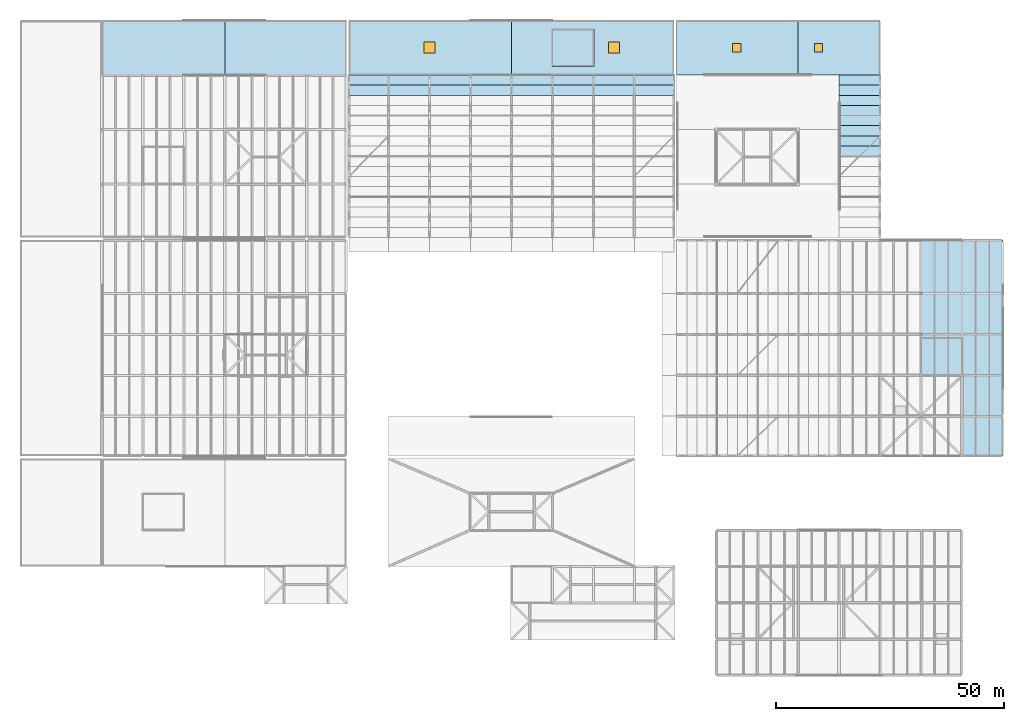
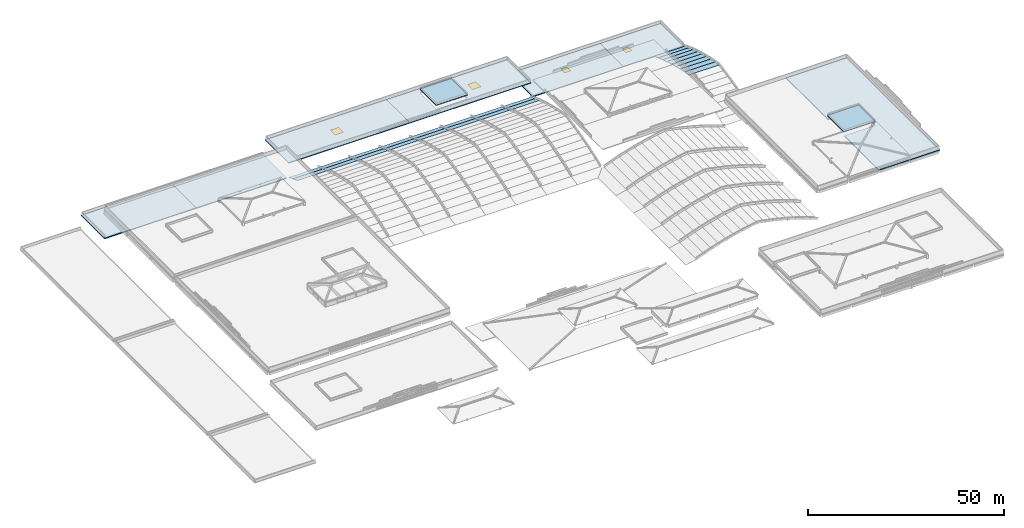
"""IFC4 building model written with IfcOpenShell, lengths in metres."""

from ifc_helpers import new_model, si_unit, direction, frame, origin, origin_2d, place, context, subcontext, project, spatial, polyline, rectangle, outline, extrude, material, layer, layer_set, type_object, element, fill, aggregate, save


model = new_model("IFC4")

# Units and contexts
model_context = context("Model", 3, precision=1e-05, world=origin(), true_north=direction((0.0, 1.0)))
body_context = subcontext(model_context, "Body", "Model", "MODEL_VIEW")
ifc_project = project(units=[si_unit("LENGTHUNIT", "METRE"), si_unit("AREAUNIT", "SQUARE_METRE"), si_unit("VOLUMEUNIT", "CUBIC_METRE"), si_unit("PLANEANGLEUNIT", "RADIAN"), si_unit("MASSUNIT", "GRAM", prefix="KILO")], contexts=[model_context])

# Site, building, storey
site_placement = place(None, origin())
site = spatial("IfcSite", under=ifc_project, at=site_placement, CompositionType="ELEMENT")
building_placement = place(site_placement, origin())
building = spatial("IfcBuilding", under=site, at=building_placement, Name="Zacnel Wholesale Market", CompositionType="ELEMENT")
storey_1_placement = place(building_placement, frame((0.0, 0.0, 20.300048828125)))
storey_1 = spatial("IfcBuildingStorey", under=building, at=storey_1_placement, Name="RF", CompositionType="ELEMENT", Elevation=20.300048828125)

# Slabs
ifc_material_1 = material(Name="Precast concrete C45/55", Category="concrete")
ifc_layer_1 = layer(ifc_material_1, 0.239990234375)
ifc_layer_set_1 = layer_set([ifc_layer_1], Name="Precast concrete C45/55")
slab_type_1 = type_object("IfcSlabType", Name="SLB-CORE-RF240", PredefinedType="ROOF", material=ifc_layer_set_1)
slab_1_placement = place(storey_1_placement, frame((0.0, 0.0, -3.5400390625)))
element("IfcSlab", 1, at=slab_1_placement, inside=storey_1, type_object=slab_type_1, Name="Core C6 roof cap slab", PredefinedType="ROOF", context=body_context, shape_type="SweptSolid", body=[
    extrude(outline(polyline([(116.875, 133.875), (126.125, 133.875), (126.125, 142.125), (116.875, 142.125), (116.875, 133.875)])), origin(), (0.0, 0.0, 1.0), 0.239990234375),
])
slab_2_placement = place(storey_1_placement, frame((0.0, 0.0, 1.010009765625)))
element("IfcSlab", 2, at=slab_2_placement, inside=storey_1, type_object=slab_type_1, Name="Core C7 roof cap slab", PredefinedType="ROOF", context=body_context, shape_type="SweptSolid", body=[
    extrude(outline(polyline([(197.875, 65.875), (207.125, 65.875), (207.125, 74.324951171875), (197.875, 74.324951171875), (197.875, 65.875)])), origin(), (0.0, 0.0, 1.0), 0.239990234375),
])

# Roof, slab, opening
ifc_material_2 = material(Name="Precast concrete C45/55", Category="concrete")
ifc_layer_2 = layer(ifc_material_2, 0.280029296875)
ifc_layer_set_2 = layer_set([ifc_layer_2], Name="Precast concrete C45/55")
roof_type_1 = type_object("IfcRoofType", Name="ROOF-FLAT-PRECAST", PredefinedType="FLAT_ROOF", material=ifc_layer_set_2)
roof_1_placement = place(storey_1_placement, origin())
roof_1 = element("IfcRoof", 3, at=roof_1_placement, inside=storey_1, type_object=roof_type_1, Name="Precast roof assembly STR-ROOF-V1N-GAL-W", PredefinedType="FLAT_ROOF")
ifc_material_3 = material(Name="Precast concrete C45/55", Category="concrete")
ifc_layer_3 = layer(ifc_material_3, 0.280029296875)
ifc_layer_set_3 = layer_set([ifc_layer_3], Name="Precast concrete C45/55")
slab_type_2 = type_object("IfcSlabType", Name="SLB-ROOF-DT-280", PredefinedType="ROOF", material=ifc_layer_set_3)
slab_3_placement = place(storey_1_placement, frame((0.0, 0.0, -4.830078125)))
slab_3 = element("IfcSlab", 4, at=slab_3_placement, type_object=slab_type_2, Name="Precast roof slab STR-ROOF-V1N-GAL-W/SLB1", PredefinedType="ROOF", context=body_context, shape_type="SweptSolid", body=[
    extrude(outline(polyline([(72.300048828125, 144.0), (108.0, 144.0), (108.0, 132.0), (72.300048828125, 132.0), (72.300048828125, 144.0)])), origin(), (0.0, 0.0, 1.0), 0.280029296875),
])
opening_1_placement = place(slab_3_placement, frame((90.0, 138.0, 0.0)))
opening_1 = element("IfcOpeningElement", 5, at=opening_1_placement, cuts=slab_3, Name="Opening SK-01", PredefinedType="OPENING", context=body_context, shape_type="SweptSolid", body=[
    extrude(rectangle(XDim=2.39990234375, YDim=2.39990234375, at=origin_2d()), frame((0.0, 0.0, -0.010009765625)), (0.0, 0.0, 1.0), 0.300048828125),
])

# Storey
storey_2_placement = place(building_placement, frame((0.0, 0.0, 11.199951171875)))
storey_2 = spatial("IfcBuildingStorey", under=building, at=storey_2_placement, Name="L03", CompositionType="ELEMENT", Elevation=11.199951171875)

# Window
ifc_material_4 = material(Name="Laminated hurricane-impact low-E insulated glass", Category="glass")
window_type_1 = type_object("IfcWindowType", Name="WIN-SKY-2400X2400", PartitioningType="SINGLE_PANEL", PredefinedType="SKYLIGHT", material=ifc_material_4)
window_1_placement = place(opening_1_placement, frame((0.0, 0.0, 0.22998046875)))
window_1 = element("IfcWindow", 6, at=window_1_placement, inside=storey_2, type_object=window_type_1, Name="Hurricane roof skylight 01", OverallHeight=2.39990234375, OverallWidth=2.39990234375, PartitioningType="SINGLE_PANEL", PredefinedType="SKYLIGHT", context=body_context, shape_type="SweptSolid", body=[
    extrude(rectangle(XDim=2.39990234375, YDim=2.39990234375, at=origin_2d()), origin(), (0.0, 0.0, 1.0), 0.050048828125),
])

fill(opening_1, window_1)

# Slab, opening, window
slab_4_placement = place(storey_1_placement, frame((0.0, 0.0, -4.830078125)))
slab_4 = element("IfcSlab", 7, at=slab_4_placement, type_object=slab_type_2, Name="Precast roof slab STR-ROOF-V1N-GAL-W/SLB2", PredefinedType="ROOF", context=body_context, shape_type="SweptSolid", body=[
    extrude(outline(polyline([(143.699951171875, 144.0), (143.699951171875, 132.0), (108.0, 132.0), (108.0, 144.0), (143.699951171875, 144.0)]), holes=[polyline([(116.8701171875, 142.1298828125), (116.8701171875, 133.8701171875), (126.1298828125, 133.8701171875), (126.1298828125, 142.1298828125), (116.8701171875, 142.1298828125)])]), origin(), (0.0, 0.0, 1.0), 0.280029296875),
])
opening_2_placement = place(slab_4_placement, frame((130.5, 138.0, 0.0)))
opening_2 = element("IfcOpeningElement", 8, at=opening_2_placement, cuts=slab_4, Name="Opening SK-01", PredefinedType="OPENING", context=body_context, shape_type="SweptSolid", body=[
    extrude(rectangle(XDim=2.39990234375, YDim=2.39990234375, at=origin_2d()), frame((0.0, 0.0, -0.010009765625)), (0.0, 0.0, 1.0), 0.300048828125),
])
window_2_placement = place(opening_2_placement, frame((0.0, 0.0, 0.22998046875)))
window_2 = element("IfcWindow", 9, at=window_2_placement, inside=storey_2, type_object=window_type_1, Name="Hurricane roof skylight 02", OverallHeight=2.39990234375, OverallWidth=2.39990234375, PartitioningType="SINGLE_PANEL", PredefinedType="SKYLIGHT", context=body_context, shape_type="SweptSolid", body=[
    extrude(rectangle(XDim=2.39990234375, YDim=2.39990234375, at=origin_2d()), origin(), (0.0, 0.0, 1.0), 0.050048828125),
])
fill(opening_2, window_2)

aggregate(roof_1, [slab_3, slab_4])

# Roof, slab, opening
roof_2_placement = place(storey_1_placement, origin())
roof_2 = element("IfcRoof", 10, at=roof_2_placement, inside=storey_1, type_object=roof_type_1, Name="Precast roof assembly STR-ROOF-V1N-GAL-E", PredefinedType="FLAT_ROOF")
slab_5_placement = place(storey_1_placement, frame((0.0, 0.0, -9.380126953125)))
slab_5 = element("IfcSlab", 11, at=slab_5_placement, type_object=slab_type_2, Name="Precast roof slab STR-ROOF-V1N-GAL-E/SLB1", PredefinedType="ROOF", context=body_context, shape_type="SweptSolid", body=[
    extrude(outline(polyline([(171.0, 144.0), (171.0, 132.0), (144.300048828125, 132.0), (144.300048828125, 144.0), (171.0, 144.0)])), origin(), (0.0, 0.0, 1.0), 0.280029296875),
])
opening_3_placement = place(slab_5_placement, frame((157.5, 138.0, 0.0)))
opening_3 = element("IfcOpeningElement", 12, at=opening_3_placement, cuts=slab_5, Name="Opening SK-02", PredefinedType="OPENING", context=body_context, shape_type="SweptSolid", body=[
    extrude(rectangle(XDim=1.800048828125, YDim=1.800048828125, at=origin_2d()), frame((0.0, 0.0, -0.010009765625)), (0.0, 0.0, 1.0), 0.300048828125),
])

# Storey
storey_3_placement = place(building_placement, frame((0.0, 0.0, 6.300048828125)))
storey_3 = spatial("IfcBuildingStorey", under=building, at=storey_3_placement, Name="L02", CompositionType="ELEMENT", Elevation=6.300048828125)

# Window
ifc_material_5 = material(Name="Laminated hurricane-impact low-E insulated glass", Category="glass")
window_type_2 = type_object("IfcWindowType", Name="WIN-SKY-1800X1800", PartitioningType="SINGLE_PANEL", PredefinedType="SKYLIGHT", material=ifc_material_5)
window_3_placement = place(opening_3_placement, frame((0.0, 0.0, 0.22998046875)))
window_3 = element("IfcWindow", 13, at=window_3_placement, inside=storey_3, type_object=window_type_2, Name="Hurricane roof skylight 03", OverallHeight=1.800048828125, OverallWidth=1.800048828125, PartitioningType="SINGLE_PANEL", PredefinedType="SKYLIGHT", context=body_context, shape_type="SweptSolid", body=[
    extrude(rectangle(XDim=1.800048828125, YDim=1.800048828125, at=origin_2d()), origin(), (0.0, 0.0, 1.0), 0.050048828125),
])

fill(opening_3, window_3)

# Slab, opening, window
slab_6_placement = place(storey_1_placement, frame((0.0, 0.0, -9.380126953125)))
slab_6 = element("IfcSlab", 14, at=slab_6_placement, type_object=slab_type_2, Name="Precast roof slab STR-ROOF-V1N-GAL-E/SLB2", PredefinedType="ROOF", context=body_context, shape_type="SweptSolid", body=[
    extrude(outline(polyline([(189.0, 132.0), (171.0, 132.0), (171.0, 144.0), (189.0, 144.0), (189.0, 132.0)])), origin(), (0.0, 0.0, 1.0), 0.280029296875),
])
opening_4_placement = place(slab_6_placement, frame((175.5, 138.0, 0.0)))
opening_4 = element("IfcOpeningElement", 15, at=opening_4_placement, cuts=slab_6, Name="Opening SK-02", PredefinedType="OPENING", context=body_context, shape_type="SweptSolid", body=[
    extrude(rectangle(XDim=1.800048828125, YDim=1.800048828125, at=origin_2d()), frame((0.0, 0.0, -0.010009765625)), (0.0, 0.0, 1.0), 0.300048828125),
])
window_4_placement = place(opening_4_placement, frame((0.0, 0.0, 0.22998046875)))
window_4 = element("IfcWindow", 16, at=window_4_placement, inside=storey_3, type_object=window_type_2, Name="Hurricane roof skylight 04", OverallHeight=1.800048828125, OverallWidth=1.800048828125, PartitioningType="SINGLE_PANEL", PredefinedType="SKYLIGHT", context=body_context, shape_type="SweptSolid", body=[
    extrude(rectangle(XDim=1.800048828125, YDim=1.800048828125, at=origin_2d()), origin(), (0.0, 0.0, 1.0), 0.050048828125),
])
fill(opening_4, window_4)

aggregate(roof_2, [slab_5, slab_6])

# Roof, slabs
roof_3_placement = place(storey_1_placement, origin())
roof_3 = element("IfcRoof", 17, at=roof_3_placement, inside=storey_1, type_object=roof_type_1, Name="Precast roof assembly STR-ROOF-V3-N11", PredefinedType="FLAT_ROOF")
slab_7_placement = place(storey_1_placement, frame((0.0, 0.0, -9.380126953125)))
slab_7 = element("IfcSlab", 18, at=slab_7_placement, type_object=slab_type_2, Name="Precast roof slab STR-ROOF-V3-N11/SLB1", PredefinedType="ROOF", context=body_context, shape_type="SweptSolid", body=[
    extrude(outline(polyline([(45.0, 144.0), (45.0, 132.0), (18.0, 132.0), (18.0, 144.0), (45.0, 144.0)])), origin(), (0.0, 0.0, 1.0), 0.280029296875),
])
slab_8_placement = place(storey_1_placement, frame((0.0, 0.0, -9.380126953125)))
slab_8 = element("IfcSlab", 19, at=slab_8_placement, type_object=slab_type_2, Name="Precast roof slab STR-ROOF-V3-N11/SLB2", PredefinedType="ROOF", context=body_context, shape_type="SweptSolid", body=[
    extrude(outline(polyline([(71.699951171875, 132.0), (45.0, 132.0), (45.0, 144.0), (71.699951171875, 144.0), (71.699951171875, 132.0)])), origin(), (0.0, 0.0, 1.0), 0.280029296875),
])
aggregate(roof_3, [slab_7, slab_8])

ifc_material_6 = material(Name="Concrete C40/50", Category="concrete")
ifc_layer_4 = layer(ifc_material_6, 0.110107421875)
ifc_layer_set_4 = layer_set([ifc_layer_4], Name="Concrete C40/50")
roof_type_2 = type_object("IfcRoofType", Name="ROOF-BARREL-36M", PredefinedType="BARREL_ROOF", material=ifc_layer_set_4)
roof_4_placement = place(storey_1_placement, origin())
roof_4 = element("IfcRoof", 20, at=roof_4_placement, inside=storey_1, type_object=roof_type_2, Name="Parabolic barrel-shell roof V1N-W-01", PredefinedType="BARREL_ROOF")
ifc_material_7 = material(Name="Concrete C40/50", Category="concrete")
ifc_layer_5 = layer(ifc_material_7, 0.110107421875)
ifc_layer_set_5 = layer_set([ifc_layer_5], Name="Concrete C40/50")
slab_type_3 = type_object("IfcSlabType", Name="SLB-ROOF-SHELL-110", PredefinedType="ROOF", material=ifc_layer_set_5)
slab_9_placement = place(storey_1_placement, frame((72.300048828125, 127.53759765625, -7.420166015625), z_axis=(0.0, 0.337438907944, 0.941347429701), x_axis=(1.0, 0.0, 0.0)))
slab_9 = element("IfcSlab", 21, at=slab_9_placement, type_object=slab_type_3, Name="Barrel-shell facet V1N-W-01-F15", PredefinedType="ROOF", context=body_context, shape_type="SweptSolid", body=[
    extrude(outline(polyline([(0.0, 0.0), (8.699951171875, 0.0), (8.699951171875, 2.370220708609927), (0.0, 2.370220708609927), (0.0, 0.0)])), origin(), (0.0, 0.0, -1.0), 0.110107421875),
])
slab_10_placement = place(storey_1_placement, frame((72.300048828125, 129.768798828125, -8.219970703125), z_axis=(0.0, 0.366946359501, 0.930242102492), x_axis=(1.0, 0.0, 0.0)))
slab_10 = element("IfcSlab", 22, at=slab_10_placement, type_object=slab_type_3, Name="Barrel-shell facet V1N-W-01-F16", PredefinedType="ROOF", context=body_context, shape_type="SweptSolid", body=[
    extrude(outline(polyline([(0.0, 0.0), (8.699951171875, 0.0), (8.699951171875, 2.3985166505558118), (0.0, 2.3985166505558118), (0.0, 0.0)])), origin(), (0.0, 0.0, -1.0), 0.110107421875),
])
aggregate(roof_4, [slab_9, slab_10])

roof_5_placement = place(storey_1_placement, origin())
roof_5 = element("IfcRoof", 23, at=roof_5_placement, inside=storey_1, type_object=roof_type_2, Name="Parabolic barrel-shell roof V1N-W-02", PredefinedType="BARREL_ROOF")
slab_11_placement = place(storey_1_placement, frame((81.0, 127.53759765625, -7.420166015625), z_axis=(0.0, 0.337438907944, 0.941347429701), x_axis=(1.0, 0.0, 0.0)))
slab_11 = element("IfcSlab", 24, at=slab_11_placement, type_object=slab_type_3, Name="Barrel-shell facet V1N-W-02-F15", PredefinedType="ROOF", context=body_context, shape_type="SweptSolid", body=[
    extrude(outline(polyline([(0.0, 0.0), (9.0, 0.0), (9.0, 2.370220708609927), (0.0, 2.370220708609927), (0.0, 0.0)])), origin(), (0.0, 0.0, -1.0), 0.110107421875),
])
slab_12_placement = place(storey_1_placement, frame((81.0, 129.768798828125, -8.219970703125), z_axis=(0.0, 0.366946359501, 0.930242102492), x_axis=(1.0, 0.0, 0.0)))
slab_12 = element("IfcSlab", 25, at=slab_12_placement, type_object=slab_type_3, Name="Barrel-shell facet V1N-W-02-F16", PredefinedType="ROOF", context=body_context, shape_type="SweptSolid", body=[
    extrude(outline(polyline([(0.0, 0.0), (9.0, 0.0), (9.0, 2.3985166505558118), (0.0, 2.3985166505558118), (0.0, 0.0)])), origin(), (0.0, 0.0, -1.0), 0.110107421875),
])
aggregate(roof_5, [slab_11, slab_12])

roof_6_placement = place(storey_1_placement, origin())
roof_6 = element("IfcRoof", 26, at=roof_6_placement, inside=storey_1, type_object=roof_type_2, Name="Parabolic barrel-shell roof V1N-W-03", PredefinedType="BARREL_ROOF")
slab_13_placement = place(storey_1_placement, frame((90.0, 127.53759765625, -7.420166015625), z_axis=(0.0, 0.337438907944, 0.941347429701), x_axis=(1.0, 0.0, 0.0)))
slab_13 = element("IfcSlab", 27, at=slab_13_placement, type_object=slab_type_3, Name="Barrel-shell facet V1N-W-03-F15", PredefinedType="ROOF", context=body_context, shape_type="SweptSolid", body=[
    extrude(outline(polyline([(0.0, 0.0), (9.0, 0.0), (9.0, 2.370220708609927), (0.0, 2.370220708609927), (0.0, 0.0)])), origin(), (0.0, 0.0, -1.0), 0.110107421875),
])
slab_14_placement = place(storey_1_placement, frame((90.0, 129.768798828125, -8.219970703125), z_axis=(0.0, 0.366946359501, 0.930242102492), x_axis=(1.0, 0.0, 0.0)))
slab_14 = element("IfcSlab", 28, at=slab_14_placement, type_object=slab_type_3, Name="Barrel-shell facet V1N-W-03-F16", PredefinedType="ROOF", context=body_context, shape_type="SweptSolid", body=[
    extrude(outline(polyline([(0.0, 0.0), (9.0, 0.0), (9.0, 2.3985166505558118), (0.0, 2.3985166505558118), (0.0, 0.0)])), origin(), (0.0, 0.0, -1.0), 0.110107421875),
])
aggregate(roof_6, [slab_13, slab_14])

roof_7_placement = place(storey_1_placement, origin())
roof_7 = element("IfcRoof", 29, at=roof_7_placement, inside=storey_1, type_object=roof_type_2, Name="Parabolic barrel-shell roof V1N-W-04", PredefinedType="BARREL_ROOF")
slab_15_placement = place(storey_1_placement, frame((99.0, 127.53759765625, -7.420166015625), z_axis=(0.0, 0.337438907944, 0.941347429701), x_axis=(1.0, 0.0, 0.0)))
slab_15 = element("IfcSlab", 30, at=slab_15_placement, type_object=slab_type_3, Name="Barrel-shell facet V1N-W-04-F15", PredefinedType="ROOF", context=body_context, shape_type="SweptSolid", body=[
    extrude(outline(polyline([(0.0, 0.0), (9.0, 0.0), (9.0, 2.370220708609927), (0.0, 2.370220708609927), (0.0, 0.0)])), origin(), (0.0, 0.0, -1.0), 0.110107421875),
])
slab_16_placement = place(storey_1_placement, frame((99.0, 129.768798828125, -8.219970703125), z_axis=(0.0, 0.366946359501, 0.930242102492), x_axis=(1.0, 0.0, 0.0)))
slab_16 = element("IfcSlab", 31, at=slab_16_placement, type_object=slab_type_3, Name="Barrel-shell facet V1N-W-04-F16", PredefinedType="ROOF", context=body_context, shape_type="SweptSolid", body=[
    extrude(outline(polyline([(0.0, 0.0), (9.0, 0.0), (9.0, 2.3985166505558118), (0.0, 2.3985166505558118), (0.0, 0.0)])), origin(), (0.0, 0.0, -1.0), 0.110107421875),
])
aggregate(roof_7, [slab_15, slab_16])

roof_8_placement = place(storey_1_placement, origin())
roof_8 = element("IfcRoof", 32, at=roof_8_placement, inside=storey_1, type_object=roof_type_2, Name="Parabolic barrel-shell roof V1N-W-05", PredefinedType="BARREL_ROOF")
slab_17_placement = place(storey_1_placement, frame((108.0, 127.53759765625, -7.420166015625), z_axis=(0.0, 0.337438907944, 0.941347429701), x_axis=(1.0, 0.0, 0.0)))
slab_17 = element("IfcSlab", 33, at=slab_17_placement, type_object=slab_type_3, Name="Barrel-shell facet V1N-W-05-F15", PredefinedType="ROOF", context=body_context, shape_type="SweptSolid", body=[
    extrude(outline(polyline([(0.0, 0.0), (9.0, 0.0), (9.0, 2.370220708609927), (0.0, 2.370220708609927), (0.0, 0.0)])), origin(), (0.0, 0.0, -1.0), 0.110107421875),
])
slab_18_placement = place(storey_1_placement, frame((108.0, 129.768798828125, -8.219970703125), z_axis=(0.0, 0.366946359501, 0.930242102492), x_axis=(1.0, 0.0, 0.0)))
slab_18 = element("IfcSlab", 34, at=slab_18_placement, type_object=slab_type_3, Name="Barrel-shell facet V1N-W-05-F16", PredefinedType="ROOF", context=body_context, shape_type="SweptSolid", body=[
    extrude(outline(polyline([(0.0, 0.0), (9.0, 0.0), (9.0, 2.3985166505558118), (0.0, 2.3985166505558118), (0.0, 0.0)])), origin(), (0.0, 0.0, -1.0), 0.110107421875),
])
aggregate(roof_8, [slab_17, slab_18])

roof_9_placement = place(storey_1_placement, origin())
roof_9 = element("IfcRoof", 35, at=roof_9_placement, inside=storey_1, type_object=roof_type_2, Name="Parabolic barrel-shell roof V1N-W-06", PredefinedType="BARREL_ROOF")
slab_19_placement = place(storey_1_placement, frame((117.0, 127.53759765625, -7.420166015625), z_axis=(0.0, 0.337438907944, 0.941347429701), x_axis=(1.0, 0.0, 0.0)))
slab_19 = element("IfcSlab", 36, at=slab_19_placement, type_object=slab_type_3, Name="Barrel-shell facet V1N-W-06-F15", PredefinedType="ROOF", context=body_context, shape_type="SweptSolid", body=[
    extrude(outline(polyline([(0.0, 0.0), (9.0, 0.0), (9.0, 2.370220708609927), (0.0, 2.370220708609927), (0.0, 0.0)])), origin(), (0.0, 0.0, -1.0), 0.110107421875),
])
slab_20_placement = place(storey_1_placement, frame((117.0, 129.768798828125, -8.219970703125), z_axis=(0.0, 0.366946359501, 0.930242102492), x_axis=(1.0, 0.0, 0.0)))
slab_20 = element("IfcSlab", 37, at=slab_20_placement, type_object=slab_type_3, Name="Barrel-shell facet V1N-W-06-F16", PredefinedType="ROOF", context=body_context, shape_type="SweptSolid", body=[
    extrude(outline(polyline([(0.0, 0.0), (9.0, 0.0), (9.0, 2.3985166505558118), (0.0, 2.3985166505558118), (0.0, 0.0)])), origin(), (0.0, 0.0, -1.0), 0.110107421875),
])
aggregate(roof_9, [slab_19, slab_20])

roof_10_placement = place(storey_1_placement, origin())
roof_10 = element("IfcRoof", 38, at=roof_10_placement, inside=storey_1, type_object=roof_type_2, Name="Parabolic barrel-shell roof V1N-W-07", PredefinedType="BARREL_ROOF")
slab_21_placement = place(storey_1_placement, frame((126.0, 127.53759765625, -7.420166015625), z_axis=(0.0, 0.337438907944, 0.941347429701), x_axis=(1.0, 0.0, 0.0)))
slab_21 = element("IfcSlab", 39, at=slab_21_placement, type_object=slab_type_3, Name="Barrel-shell facet V1N-W-07-F15", PredefinedType="ROOF", context=body_context, shape_type="SweptSolid", body=[
    extrude(outline(polyline([(0.0, 0.0), (9.0, 0.0), (9.0, 2.370220708609927), (0.0, 2.370220708609927), (0.0, 0.0)])), origin(), (0.0, 0.0, -1.0), 0.110107421875),
])
slab_22_placement = place(storey_1_placement, frame((126.0, 129.768798828125, -8.219970703125), z_axis=(0.0, 0.366946359501, 0.930242102492), x_axis=(1.0, 0.0, 0.0)))
slab_22 = element("IfcSlab", 40, at=slab_22_placement, type_object=slab_type_3, Name="Barrel-shell facet V1N-W-07-F16", PredefinedType="ROOF", context=body_context, shape_type="SweptSolid", body=[
    extrude(outline(polyline([(0.0, 0.0), (9.0, 0.0), (9.0, 2.3985166505558118), (0.0, 2.3985166505558118), (0.0, 0.0)])), origin(), (0.0, 0.0, -1.0), 0.110107421875),
])
aggregate(roof_10, [slab_21, slab_22])

roof_11_placement = place(storey_1_placement, origin())
roof_11 = element("IfcRoof", 41, at=roof_11_placement, inside=storey_1, type_object=roof_type_2, Name="Parabolic barrel-shell roof V1N-W-08", PredefinedType="BARREL_ROOF")
slab_23_placement = place(storey_1_placement, frame((135.0, 127.53759765625, -7.420166015625), z_axis=(0.0, 0.337438907944, 0.941347429701), x_axis=(1.0, 0.0, 0.0)))
slab_23 = element("IfcSlab", 42, at=slab_23_placement, type_object=slab_type_3, Name="Barrel-shell facet V1N-W-08-F15", PredefinedType="ROOF", context=body_context, shape_type="SweptSolid", body=[
    extrude(outline(polyline([(0.0, 0.0), (8.699951171875, 0.0), (8.699951171875, 2.370220708609927), (0.0, 2.370220708609927), (0.0, 0.0)])), origin(), (0.0, 0.0, -1.0), 0.110107421875),
])
slab_24_placement = place(storey_1_placement, frame((135.0, 129.768798828125, -8.219970703125), z_axis=(0.0, 0.366946359501, 0.930242102492), x_axis=(1.0, 0.0, 0.0)))
slab_24 = element("IfcSlab", 43, at=slab_24_placement, type_object=slab_type_3, Name="Barrel-shell facet V1N-W-08-F16", PredefinedType="ROOF", context=body_context, shape_type="SweptSolid", body=[
    extrude(outline(polyline([(0.0, 0.0), (8.699951171875, 0.0), (8.699951171875, 2.3985166505558118), (0.0, 2.3985166505558118), (0.0, 0.0)])), origin(), (0.0, 0.0, -1.0), 0.110107421875),
])
aggregate(roof_11, [slab_23, slab_24])

roof_12_placement = place(storey_1_placement, origin())
roof_12 = element("IfcRoof", 44, at=roof_12_placement, inside=storey_1, type_object=roof_type_2, Name="Parabolic barrel-shell roof V1N-E-05", PredefinedType="BARREL_ROOF")
slab_25_placement = place(storey_1_placement, frame((180.0, 114.14990234375, -4.10009765625), z_axis=(0.0, 0.176420589484, 0.984314876249), x_axis=(1.0, 0.0, 0.0)))
slab_25 = element("IfcSlab", 45, at=slab_25_placement, type_object=slab_type_3, Name="Barrel-shell facet V1N-E-05-F09", PredefinedType="ROOF", context=body_context, shape_type="SweptSolid", body=[
    extrude(outline(polyline([(0.0, 0.0), (9.0, 0.0), (9.0, 2.266755512602344), (0.0, 2.266755512602344), (0.0, 0.0)])), origin(), (0.0, 0.0, -1.0), 0.110107421875),
])
slab_26_placement = place(storey_1_placement, frame((180.0, 116.381103515625, -4.5), z_axis=(0.0, 0.201882701177, 0.979409707408), x_axis=(1.0, 0.0, 0.0)))
slab_26 = element("IfcSlab", 46, at=slab_26_placement, type_object=slab_type_3, Name="Barrel-shell facet V1N-E-05-F10", PredefinedType="ROOF", context=body_context, shape_type="SweptSolid", body=[
    extrude(outline(polyline([(0.0, 0.0), (9.0, 0.0), (9.0, 2.2783573571115006), (0.0, 2.2783573571115006), (0.0, 0.0)])), origin(), (0.0, 0.0, -1.0), 0.110107421875),
])
slab_27_placement = place(storey_1_placement, frame((180.0, 118.612548828125, -4.9599609375), z_axis=(0.0, 0.226983688872, 0.973898559906), x_axis=(1.0, 0.0, 0.0)))
slab_27 = element("IfcSlab", 47, at=slab_27_placement, type_object=slab_type_3, Name="Barrel-shell facet V1N-E-05-F11", PredefinedType="ROOF", context=body_context, shape_type="SweptSolid", body=[
    extrude(outline(polyline([(0.0, 0.0), (9.0, 0.0), (9.0, 2.2909995596371995), (0.0, 2.2909995596371995), (0.0, 0.0)])), origin(), (0.0, 0.0, -1.0), 0.110107421875),
])
slab_28_placement = place(storey_1_placement, frame((180.0, 120.84375, -5.47998046875), z_axis=(0.0, 0.251619964429, 0.967826117389), x_axis=(1.0, 0.0, 0.0)))
slab_28 = element("IfcSlab", 48, at=slab_28_placement, type_object=slab_type_3, Name="Barrel-shell facet V1N-E-05-F12", PredefinedType="ROOF", context=body_context, shape_type="SweptSolid", body=[
    extrude(outline(polyline([(0.0, 0.0), (9.0, 0.0), (9.0, 2.305374004468665), (0.0, 2.305374004468665), (0.0, 0.0)])), origin(), (0.0, 0.0, -1.0), 0.110107421875),
])
slab_29_placement = place(storey_1_placement, frame((180.0, 123.074951171875, -6.06005859375), z_axis=(0.0, 0.275651658171, 0.961257594689), x_axis=(1.0, 0.0, 0.0)))
slab_29 = element("IfcSlab", 49, at=slab_29_placement, type_object=slab_type_3, Name="Barrel-shell facet V1N-E-05-F13", PredefinedType="ROOF", context=body_context, shape_type="SweptSolid", body=[
    extrude(outline(polyline([(0.0, 0.0), (9.0, 0.0), (9.0, 2.3213812039856103), (0.0, 2.3213812039856103), (0.0, 0.0)])), origin(), (0.0, 0.0, -1.0), 0.110107421875),
])
slab_30_placement = place(storey_1_placement, frame((180.0, 125.306396484375, -6.699951171875), z_axis=(0.0, 0.307185321823, 0.951649713947), x_axis=(1.0, 0.0, 0.0)))
slab_30 = element("IfcSlab", 50, at=slab_30_placement, type_object=slab_type_3, Name="Barrel-shell facet V1N-E-05-F14", PredefinedType="ROOF", context=body_context, shape_type="SweptSolid", body=[
    extrude(outline(polyline([(0.0, 0.0), (9.0, 0.0), (9.0, 2.3445613855333813), (0.0, 2.3445613855333813), (0.0, 0.0)])), origin(), (0.0, 0.0, -1.0), 0.110107421875),
])
slab_31_placement = place(storey_1_placement, frame((180.0, 127.53759765625, -7.420166015625), z_axis=(0.0, 0.337438907944, 0.941347429701), x_axis=(1.0, 0.0, 0.0)))
slab_31 = element("IfcSlab", 51, at=slab_31_placement, type_object=slab_type_3, Name="Barrel-shell facet V1N-E-05-F15", PredefinedType="ROOF", context=body_context, shape_type="SweptSolid", body=[
    extrude(outline(polyline([(0.0, 0.0), (9.0, 0.0), (9.0, 2.370220708609927), (0.0, 2.370220708609927), (0.0, 0.0)])), origin(), (0.0, 0.0, -1.0), 0.110107421875),
])
slab_32_placement = place(storey_1_placement, frame((180.0, 129.768798828125, -8.219970703125), z_axis=(0.0, 0.366946359501, 0.930242102492), x_axis=(1.0, 0.0, 0.0)))
slab_32 = element("IfcSlab", 52, at=slab_32_placement, type_object=slab_type_3, Name="Barrel-shell facet V1N-E-05-F16", PredefinedType="ROOF", context=body_context, shape_type="SweptSolid", body=[
    extrude(outline(polyline([(0.0, 0.0), (9.0, 0.0), (9.0, 2.3985166505558118), (0.0, 2.3985166505558118), (0.0, 0.0)])), origin(), (0.0, 0.0, -1.0), 0.110107421875),
])
aggregate(roof_12, [slab_25, slab_26, slab_27, slab_28, slab_29, slab_30, slab_31, slab_32])

# Roof, slab
roof_13_placement = place(storey_1_placement, origin())
roof_13 = element("IfcRoof", 53, at=roof_13_placement, inside=storey_1, type_object=roof_type_1, Name="Precast roof assembly STR-ROOF-V1E-GAL", PredefinedType="FLAT_ROOF")
ifc_material_8 = material(Name="Precast concrete C45/55", Category="concrete")
ifc_layer_6 = layer(ifc_material_8, 0.300048828125)
ifc_layer_set_6 = layer_set([ifc_layer_6], Name="Precast concrete C45/55")
slab_type_4 = type_object("IfcSlabType", Name="SLB-ROOF-ZIG-300", PredefinedType="ROOF", material=ifc_layer_set_6)
slab_33_placement = place(storey_1_placement, frame((0.0, 0.0, -0.300048828125)))
slab_33 = element("IfcSlab", 54, at=slab_33_placement, type_object=slab_type_4, Name="Precast roof slab STR-ROOF-V1E-GAL/SLB2", PredefinedType="ROOF", context=body_context, shape_type="SweptSolid", body=[
    extrude(outline(polyline([(216.0, 95.699951171875), (216.0, 48.300048828125), (198.0, 48.300048828125), (198.0, 65.8701171875), (207.1298828125, 65.8701171875), (207.1298828125, 74.330078125), (198.0, 74.330078125), (198.0, 95.699951171875), (216.0, 95.699951171875)])), origin(), (0.0, 0.0, 1.0), 0.300048828125),
])
aggregate(roof_13, [slab_33])

save(model, "model.ifc")
